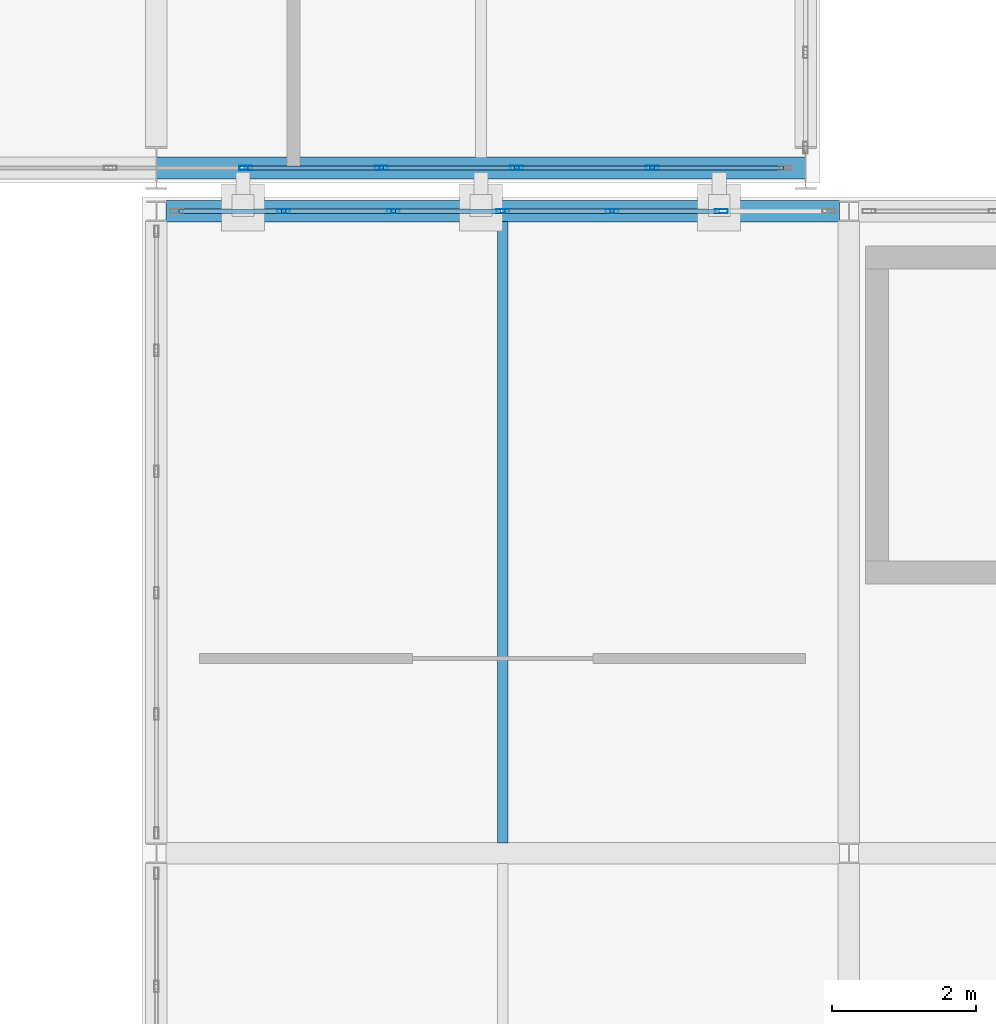
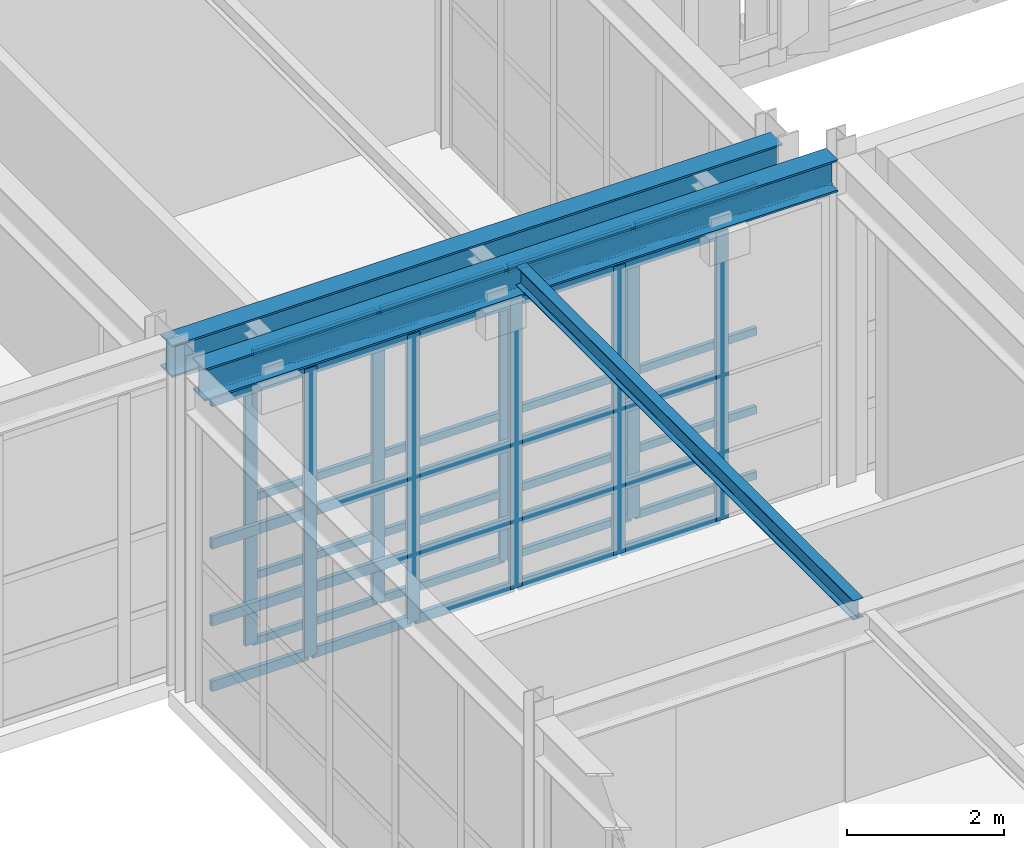
# One storey, part 144 of 239: 45 members, 3 beams, 2 elements without a shape of their own.
"""IFC4 building model written with IfcOpenShell, lengths in metres."""

from ifc_helpers import new_model, si_unit, direction, frame, origin, origin_2d, place, context, subcontext, project, spatial, hollow_rectangle, i_section, extrude, material, material_profile, profile_set, type_object, element, aggregate, save


model = new_model("IFC4")

# Units and contexts
model_context = context("Model", 3, precision=1e-05, world=origin(), true_north=direction((0.0, 1.0)))
body_context = subcontext(model_context, "Body", "Model", "MODEL_VIEW")
ifc_project = project(units=[si_unit("LENGTHUNIT", "METRE"), si_unit("AREAUNIT", "SQUARE_METRE"), si_unit("VOLUMEUNIT", "CUBIC_METRE"), si_unit("PLANEANGLEUNIT", "RADIAN"), si_unit("MASSUNIT", "GRAM", prefix="KILO")], contexts=[model_context])

# Site, building, storey
site_placement = place(None, origin())
site = spatial("IfcSite", under=ifc_project, at=site_placement, CompositionType="ELEMENT")
building_placement = place(site_placement, origin())
building = spatial("IfcBuilding", under=site, at=building_placement, Name="Kaldris Quays Convention Centre", CompositionType="ELEMENT")
storey_placement = place(building_placement, frame((0.0, 0.0, 11.39990234375)))
storey = spatial("IfcBuildingStorey", under=building, at=storey_placement, Name="L02", CompositionType="ELEMENT", Elevation=11.39990234375)

# Curtain wall, members
ifc_material_1 = material(Name="Anodized aluminium AW-6060 and triple glazing", Category="aluminium")
curtain_wall_type_1 = type_object("IfcCurtainWallType", Name="UNITISED CURTAIN WALL CW05", PredefinedType="NOTDEFINED", material=ifc_material_1)
curtain_wall_1_placement = place(storey_placement, origin())
curtain_wall_1 = element("IfcCurtainWall", 1, at=curtain_wall_1_placement, inside=storey, type_object=curtain_wall_type_1, Name="L02 Unitised Curtain Wall CW05 145", PredefinedType="NOTDEFINED")
ifc_material_2 = material(Name="Anodized aluminium AW-6060", Category="aluminium")
ifc_material_profile_1 = material_profile(ifc_material_2, hollow_rectangle(XDim=0.06005859375, YDim=0.179931640625, WallThickness=0.0048828125, at=origin_2d()), Name="RHS 180x60x5")
ifc_profile_set_1 = profile_set([ifc_material_profile_1], Name="Anodized aluminium AW-6060")
member_type_1 = type_object("IfcMemberType", Name="CURTAIN MULLION CWM2", PredefinedType="MULLION", material=ifc_profile_set_1)
member_1_placement = place(storey_placement, frame((156.23876953125, 38.0, 0.0), z_axis=(0.0, 0.0, 1.0), x_axis=(0.0, 1.0, 0.0)))
member_1 = element("IfcMember", 2, at=member_1_placement, type_object=member_type_1, Name="CW05 mullion 6", PredefinedType="MULLION", context=body_context, shape_type="SweptSolid", body=[
    extrude(hollow_rectangle(XDim=0.06005859375, YDim=0.179931640625, WallThickness=0.0048828125, at=origin_2d()), origin(), (0.0, 0.0, 1.0), 4.548095703125),
])
member_2_placement = place(storey_placement, frame((158.11669921875, 38.0, 0.0), z_axis=(0.0, 0.0, 1.0), x_axis=(0.0, 1.0, 0.0)))
member_2 = element("IfcMember", 3, at=member_2_placement, type_object=member_type_1, Name="CW05 mullion 7", PredefinedType="MULLION", context=body_context, shape_type="SweptSolid", body=[
    extrude(hollow_rectangle(XDim=0.06005859375, YDim=0.179931640625, WallThickness=0.0048828125, at=origin_2d()), origin(), (0.0, 0.0, 1.0), 4.548095703125),
])
member_3_placement = place(storey_placement, frame((159.994384765625, 38.0, 0.0), z_axis=(0.0, 0.0, 1.0), x_axis=(0.0, 1.0, 0.0)))
member_3 = element("IfcMember", 4, at=member_3_placement, type_object=member_type_1, Name="CW05 mullion 8", PredefinedType="MULLION", context=body_context, shape_type="SweptSolid", body=[
    extrude(hollow_rectangle(XDim=0.06005859375, YDim=0.179931640625, WallThickness=0.0048828125, at=origin_2d()), origin(), (0.0, 0.0, 1.0), 4.548095703125),
])
member_4_placement = place(storey_placement, frame((161.872314453125, 38.0, 0.0), z_axis=(0.0, 0.0, 1.0), x_axis=(0.0, 1.0, 0.0)))
member_4 = element("IfcMember", 5, at=member_4_placement, type_object=member_type_1, Name="CW05 mullion 9", PredefinedType="MULLION", context=body_context, shape_type="SweptSolid", body=[
    extrude(hollow_rectangle(XDim=0.06005859375, YDim=0.179931640625, WallThickness=0.0048828125, at=origin_2d()), origin(), (0.0, 0.0, 1.0), 4.548095703125),
])

curtain_wall_type_2 = type_object("IfcCurtainWallType", Name="UNITISED CURTAIN WALL CW02", PredefinedType="NOTDEFINED", material=ifc_material_1)
curtain_wall_2_placement = place(storey_placement, origin())
curtain_wall_2 = element("IfcCurtainWall", 6, at=curtain_wall_2_placement, inside=storey, type_object=curtain_wall_type_2, Name="L02 Unitised Curtain Wall CW02 200", PredefinedType="NOTDEFINED")
member_5_placement = place(storey_placement, frame((156.7666015625, 37.39990234375, 0.0), z_axis=(0.0, 0.0, 1.0), x_axis=(0.0, 1.0, 0.0)))
member_5 = element("IfcMember", 7, at=member_5_placement, type_object=member_type_1, Name="CW02 mullion 2", PredefinedType="MULLION", context=body_context, shape_type="SweptSolid", body=[
    extrude(hollow_rectangle(XDim=0.06005859375, YDim=0.179931640625, WallThickness=0.0048828125, at=origin_2d()), origin(), (0.0, 0.0, 1.0), 4.498046875),
])
member_6_placement = place(storey_placement, frame((158.283447265625, 37.39990234375, 0.0), z_axis=(0.0, 0.0, 1.0), x_axis=(0.0, 1.0, 0.0)))
member_6 = element("IfcMember", 8, at=member_6_placement, type_object=member_type_1, Name="CW02 mullion 3", PredefinedType="MULLION", context=body_context, shape_type="SweptSolid", body=[
    extrude(hollow_rectangle(XDim=0.06005859375, YDim=0.179931640625, WallThickness=0.0048828125, at=origin_2d()), origin(), (0.0, 0.0, 1.0), 4.498046875),
])
member_7_placement = place(storey_placement, frame((159.800048828125, 37.39990234375, 0.0), z_axis=(0.0, 0.0, 1.0), x_axis=(0.0, 1.0, 0.0)))
member_7 = element("IfcMember", 9, at=member_7_placement, type_object=member_type_1, Name="CW02 mullion 4", PredefinedType="MULLION", context=body_context, shape_type="SweptSolid", body=[
    extrude(hollow_rectangle(XDim=0.06005859375, YDim=0.179931640625, WallThickness=0.0048828125, at=origin_2d()), origin(), (0.0, 0.0, 1.0), 4.498046875),
])
member_8_placement = place(storey_placement, frame((161.316650390625, 37.39990234375, 0.0), z_axis=(0.0, 0.0, 1.0), x_axis=(0.0, 1.0, 0.0)))
member_8 = element("IfcMember", 10, at=member_8_placement, type_object=member_type_1, Name="CW02 mullion 5", PredefinedType="MULLION", context=body_context, shape_type="SweptSolid", body=[
    extrude(hollow_rectangle(XDim=0.06005859375, YDim=0.179931640625, WallThickness=0.0048828125, at=origin_2d()), origin(), (0.0, 0.0, 1.0), 4.498046875),
])
member_9_placement = place(storey_placement, frame((162.833251953125, 37.39990234375, 0.0), z_axis=(0.0, 0.0, 1.0), x_axis=(0.0, 1.0, 0.0)))
member_9 = element("IfcMember", 11, at=member_9_placement, type_object=member_type_1, Name="CW02 mullion 6", PredefinedType="MULLION", context=body_context, shape_type="SweptSolid", body=[
    extrude(hollow_rectangle(XDim=0.06005859375, YDim=0.179931640625, WallThickness=0.0048828125, at=origin_2d()), origin(), (0.0, 0.0, 1.0), 4.498046875),
])

# Member
ifc_material_profile_2 = material_profile(ifc_material_2, hollow_rectangle(XDim=0.06005859375, YDim=0.1201171875, WallThickness=0.00390625, at=origin_2d()), Name="RHS 120x60x4")
ifc_profile_set_2 = profile_set([ifc_material_profile_2], Name="Anodized aluminium AW-6060")
member_type_2 = type_object("IfcMemberType", Name="CURTAIN TRANSOM CWT1", PredefinedType="USERDEFINED", material=ifc_profile_set_2)
member_10_placement = place(storey_placement, frame((156.268798828125, 38.0, 0.030029296875), z_axis=(1.0, 0.0, 0.0), x_axis=(0.0, 1.0, 0.0)))
member_10 = element("IfcMember", 12, at=member_10_placement, type_object=member_type_2, Name="CW05 transom 6.1", ObjectType="TRANSOM", PredefinedType="USERDEFINED", context=body_context, shape_type="SweptSolid", body=[
    extrude(hollow_rectangle(XDim=0.06005859375, YDim=0.1201171875, WallThickness=0.00390625, at=origin_2d()), origin(), (0.0, 0.0, 1.0), 1.81787109375),
])

member_11_placement = place(storey_placement, frame((156.268798828125, 38.0, 1.050048828125), z_axis=(1.0, 0.0, 0.0), x_axis=(0.0, 1.0, 0.0)))
member_11 = element("IfcMember", 13, at=member_11_placement, type_object=member_type_2, Name="CW05 transom 6.2", ObjectType="TRANSOM", PredefinedType="USERDEFINED", context=body_context, shape_type="SweptSolid", body=[
    extrude(hollow_rectangle(XDim=0.06005859375, YDim=0.1201171875, WallThickness=0.00390625, at=origin_2d()), origin(), (0.0, 0.0, 1.0), 1.81787109375),
])

member_12_placement = place(storey_placement, frame((156.268798828125, 38.0, 2.274169921875), z_axis=(1.0, 0.0, 0.0), x_axis=(0.0, 1.0, 0.0)))
member_12 = element("IfcMember", 14, at=member_12_placement, type_object=member_type_2, Name="CW05 transom 6.3", ObjectType="TRANSOM", PredefinedType="USERDEFINED", context=body_context, shape_type="SweptSolid", body=[
    extrude(hollow_rectangle(XDim=0.06005859375, YDim=0.1201171875, WallThickness=0.00390625, at=origin_2d()), origin(), (0.0, 0.0, 1.0), 1.81787109375),
])

member_13_placement = place(storey_placement, frame((156.268798828125, 38.0, 4.51806640625), z_axis=(1.0, 0.0, 0.0), x_axis=(0.0, 1.0, 0.0)))
member_13 = element("IfcMember", 15, at=member_13_placement, type_object=member_type_2, Name="CW05 transom 6.4", ObjectType="TRANSOM", PredefinedType="USERDEFINED", context=body_context, shape_type="SweptSolid", body=[
    extrude(hollow_rectangle(XDim=0.06005859375, YDim=0.1201171875, WallThickness=0.00390625, at=origin_2d()), origin(), (0.0, 0.0, 1.0), 1.81787109375),
])

member_14_placement = place(storey_placement, frame((158.146728515625, 38.0, 0.030029296875), z_axis=(1.0, 0.0, 0.0), x_axis=(0.0, 1.0, 0.0)))
member_14 = element("IfcMember", 16, at=member_14_placement, type_object=member_type_2, Name="CW05 transom 7.1", ObjectType="TRANSOM", PredefinedType="USERDEFINED", context=body_context, shape_type="SweptSolid", body=[
    extrude(hollow_rectangle(XDim=0.06005859375, YDim=0.1201171875, WallThickness=0.00390625, at=origin_2d()), origin(), (0.0, 0.0, 1.0), 1.817626953125),
])

member_15_placement = place(storey_placement, frame((158.146728515625, 38.0, 1.050048828125), z_axis=(1.0, 0.0, 0.0), x_axis=(0.0, 1.0, 0.0)))
member_15 = element("IfcMember", 17, at=member_15_placement, type_object=member_type_2, Name="CW05 transom 7.2", ObjectType="TRANSOM", PredefinedType="USERDEFINED", context=body_context, shape_type="SweptSolid", body=[
    extrude(hollow_rectangle(XDim=0.06005859375, YDim=0.1201171875, WallThickness=0.00390625, at=origin_2d()), origin(), (0.0, 0.0, 1.0), 1.817626953125),
])

member_16_placement = place(storey_placement, frame((158.146728515625, 38.0, 2.274169921875), z_axis=(1.0, 0.0, 0.0), x_axis=(0.0, 1.0, 0.0)))
member_16 = element("IfcMember", 18, at=member_16_placement, type_object=member_type_2, Name="CW05 transom 7.3", ObjectType="TRANSOM", PredefinedType="USERDEFINED", context=body_context, shape_type="SweptSolid", body=[
    extrude(hollow_rectangle(XDim=0.06005859375, YDim=0.1201171875, WallThickness=0.00390625, at=origin_2d()), origin(), (0.0, 0.0, 1.0), 1.817626953125),
])

member_17_placement = place(storey_placement, frame((158.146728515625, 38.0, 4.51806640625), z_axis=(1.0, 0.0, 0.0), x_axis=(0.0, 1.0, 0.0)))
member_17 = element("IfcMember", 19, at=member_17_placement, type_object=member_type_2, Name="CW05 transom 7.4", ObjectType="TRANSOM", PredefinedType="USERDEFINED", context=body_context, shape_type="SweptSolid", body=[
    extrude(hollow_rectangle(XDim=0.06005859375, YDim=0.1201171875, WallThickness=0.00390625, at=origin_2d()), origin(), (0.0, 0.0, 1.0), 1.817626953125),
])

member_18_placement = place(storey_placement, frame((160.0244140625, 38.0, 0.030029296875), z_axis=(1.0, 0.0, 0.0), x_axis=(0.0, 1.0, 0.0)))
member_18 = element("IfcMember", 20, at=member_18_placement, type_object=member_type_2, Name="CW05 transom 8.1", ObjectType="TRANSOM", PredefinedType="USERDEFINED", context=body_context, shape_type="SweptSolid", body=[
    extrude(hollow_rectangle(XDim=0.06005859375, YDim=0.1201171875, WallThickness=0.00390625, at=origin_2d()), origin(), (0.0, 0.0, 1.0), 1.81787109375),
])

member_19_placement = place(storey_placement, frame((160.0244140625, 38.0, 1.050048828125), z_axis=(1.0, 0.0, 0.0), x_axis=(0.0, 1.0, 0.0)))
member_19 = element("IfcMember", 21, at=member_19_placement, type_object=member_type_2, Name="CW05 transom 8.2", ObjectType="TRANSOM", PredefinedType="USERDEFINED", context=body_context, shape_type="SweptSolid", body=[
    extrude(hollow_rectangle(XDim=0.06005859375, YDim=0.1201171875, WallThickness=0.00390625, at=origin_2d()), origin(), (0.0, 0.0, 1.0), 1.81787109375),
])

member_20_placement = place(storey_placement, frame((160.0244140625, 38.0, 2.274169921875), z_axis=(1.0, 0.0, 0.0), x_axis=(0.0, 1.0, 0.0)))
member_20 = element("IfcMember", 22, at=member_20_placement, type_object=member_type_2, Name="CW05 transom 8.3", ObjectType="TRANSOM", PredefinedType="USERDEFINED", context=body_context, shape_type="SweptSolid", body=[
    extrude(hollow_rectangle(XDim=0.06005859375, YDim=0.1201171875, WallThickness=0.00390625, at=origin_2d()), origin(), (0.0, 0.0, 1.0), 1.81787109375),
])

member_21_placement = place(storey_placement, frame((160.0244140625, 38.0, 4.51806640625), z_axis=(1.0, 0.0, 0.0), x_axis=(0.0, 1.0, 0.0)))
member_21 = element("IfcMember", 23, at=member_21_placement, type_object=member_type_2, Name="CW05 transom 8.4", ObjectType="TRANSOM", PredefinedType="USERDEFINED", context=body_context, shape_type="SweptSolid", body=[
    extrude(hollow_rectangle(XDim=0.06005859375, YDim=0.1201171875, WallThickness=0.00390625, at=origin_2d()), origin(), (0.0, 0.0, 1.0), 1.81787109375),
])

member_22_placement = place(storey_placement, frame((161.90234375, 38.0, 0.030029296875), z_axis=(1.0, 0.0, 0.0), x_axis=(0.0, 1.0, 0.0)))
member_22 = element("IfcMember", 24, at=member_22_placement, type_object=member_type_2, Name="CW05 transom 9.1", ObjectType="TRANSOM", PredefinedType="USERDEFINED", context=body_context, shape_type="SweptSolid", body=[
    extrude(hollow_rectangle(XDim=0.06005859375, YDim=0.1201171875, WallThickness=0.00390625, at=origin_2d()), origin(), (0.0, 0.0, 1.0), 1.78759765625),
])

member_23_placement = place(storey_placement, frame((161.90234375, 38.0, 1.050048828125), z_axis=(1.0, 0.0, 0.0), x_axis=(0.0, 1.0, 0.0)))
member_23 = element("IfcMember", 25, at=member_23_placement, type_object=member_type_2, Name="CW05 transom 9.2", ObjectType="TRANSOM", PredefinedType="USERDEFINED", context=body_context, shape_type="SweptSolid", body=[
    extrude(hollow_rectangle(XDim=0.06005859375, YDim=0.1201171875, WallThickness=0.00390625, at=origin_2d()), origin(), (0.0, 0.0, 1.0), 1.78759765625),
])

member_24_placement = place(storey_placement, frame((161.90234375, 38.0, 2.274169921875), z_axis=(1.0, 0.0, 0.0), x_axis=(0.0, 1.0, 0.0)))
member_24 = element("IfcMember", 26, at=member_24_placement, type_object=member_type_2, Name="CW05 transom 9.3", ObjectType="TRANSOM", PredefinedType="USERDEFINED", context=body_context, shape_type="SweptSolid", body=[
    extrude(hollow_rectangle(XDim=0.06005859375, YDim=0.1201171875, WallThickness=0.00390625, at=origin_2d()), origin(), (0.0, 0.0, 1.0), 1.78759765625),
])

member_25_placement = place(storey_placement, frame((161.90234375, 38.0, 4.51806640625), z_axis=(1.0, 0.0, 0.0), x_axis=(0.0, 1.0, 0.0)))
member_25 = element("IfcMember", 27, at=member_25_placement, type_object=member_type_2, Name="CW05 transom 9.4", ObjectType="TRANSOM", PredefinedType="USERDEFINED", context=body_context, shape_type="SweptSolid", body=[
    extrude(hollow_rectangle(XDim=0.06005859375, YDim=0.1201171875, WallThickness=0.00390625, at=origin_2d()), origin(), (0.0, 0.0, 1.0), 1.78759765625),
])

aggregate(curtain_wall_1, [member_1, member_2, member_3, member_4, member_10, member_11, member_12, member_13, member_14, member_15, member_16, member_17, member_18, member_19, member_20, member_21, member_22, member_23, member_24, member_25])

ifc_material_profile_3 = material_profile(ifc_material_2, hollow_rectangle(XDim=0.06005859375, YDim=0.159912109375, WallThickness=0.00390625, at=origin_2d()), Name="RHS 160x60x4")
ifc_profile_set_3 = profile_set([ifc_material_profile_3], Name="Anodized aluminium AW-6060")
member_type_3 = type_object("IfcMemberType", Name="CURTAIN TRANSOM CWT2", PredefinedType="USERDEFINED", material=ifc_profile_set_3)
member_26_placement = place(storey_placement, frame((155.31005859375, 37.39990234375, 0.030029296875), z_axis=(1.0, 0.0, 0.0), x_axis=(0.0, 1.0, 0.0)))
member_26 = element("IfcMember", 28, at=member_26_placement, type_object=member_type_3, Name="CW02 transom 1.1", ObjectType="TRANSOM", PredefinedType="USERDEFINED", context=body_context, shape_type="SweptSolid", body=[
    extrude(hollow_rectangle(XDim=0.06005859375, YDim=0.159912109375, WallThickness=0.00390625, at=origin_2d()), origin(), (0.0, 0.0, 1.0), 1.426513671875),
])

member_27_placement = place(storey_placement, frame((155.31005859375, 37.39990234375, 1.050048828125), z_axis=(1.0, 0.0, 0.0), x_axis=(0.0, 1.0, 0.0)))
member_27 = element("IfcMember", 29, at=member_27_placement, type_object=member_type_3, Name="CW02 transom 1.2", ObjectType="TRANSOM", PredefinedType="USERDEFINED", context=body_context, shape_type="SweptSolid", body=[
    extrude(hollow_rectangle(XDim=0.06005859375, YDim=0.159912109375, WallThickness=0.00390625, at=origin_2d()), origin(), (0.0, 0.0, 1.0), 1.426513671875),
])

member_28_placement = place(storey_placement, frame((155.31005859375, 37.39990234375, 2.2490234375), z_axis=(1.0, 0.0, 0.0), x_axis=(0.0, 1.0, 0.0)))
member_28 = element("IfcMember", 30, at=member_28_placement, type_object=member_type_3, Name="CW02 transom 1.3", ObjectType="TRANSOM", PredefinedType="USERDEFINED", context=body_context, shape_type="SweptSolid", body=[
    extrude(hollow_rectangle(XDim=0.06005859375, YDim=0.159912109375, WallThickness=0.00390625, at=origin_2d()), origin(), (0.0, 0.0, 1.0), 1.426513671875),
])

member_29_placement = place(storey_placement, frame((155.31005859375, 37.39990234375, 4.468017578125), z_axis=(1.0, 0.0, 0.0), x_axis=(0.0, 1.0, 0.0)))
member_29 = element("IfcMember", 31, at=member_29_placement, type_object=member_type_3, Name="CW02 transom 1.4", ObjectType="TRANSOM", PredefinedType="USERDEFINED", context=body_context, shape_type="SweptSolid", body=[
    extrude(hollow_rectangle(XDim=0.06005859375, YDim=0.159912109375, WallThickness=0.00390625, at=origin_2d()), origin(), (0.0, 0.0, 1.0), 1.426513671875),
])

member_30_placement = place(storey_placement, frame((156.796630859375, 37.39990234375, 0.030029296875), z_axis=(1.0, 0.0, 0.0), x_axis=(0.0, 1.0, 0.0)))
member_30 = element("IfcMember", 32, at=member_30_placement, type_object=member_type_3, Name="CW02 transom 2.1", ObjectType="TRANSOM", PredefinedType="USERDEFINED", context=body_context, shape_type="SweptSolid", body=[
    extrude(hollow_rectangle(XDim=0.06005859375, YDim=0.159912109375, WallThickness=0.00390625, at=origin_2d()), origin(), (0.0, 0.0, 1.0), 1.456787109375),
])

member_31_placement = place(storey_placement, frame((156.796630859375, 37.39990234375, 1.050048828125), z_axis=(1.0, 0.0, 0.0), x_axis=(0.0, 1.0, 0.0)))
member_31 = element("IfcMember", 33, at=member_31_placement, type_object=member_type_3, Name="CW02 transom 2.2", ObjectType="TRANSOM", PredefinedType="USERDEFINED", context=body_context, shape_type="SweptSolid", body=[
    extrude(hollow_rectangle(XDim=0.06005859375, YDim=0.159912109375, WallThickness=0.00390625, at=origin_2d()), origin(), (0.0, 0.0, 1.0), 1.456787109375),
])

member_32_placement = place(storey_placement, frame((156.796630859375, 37.39990234375, 2.2490234375), z_axis=(1.0, 0.0, 0.0), x_axis=(0.0, 1.0, 0.0)))
member_32 = element("IfcMember", 34, at=member_32_placement, type_object=member_type_3, Name="CW02 transom 2.3", ObjectType="TRANSOM", PredefinedType="USERDEFINED", context=body_context, shape_type="SweptSolid", body=[
    extrude(hollow_rectangle(XDim=0.06005859375, YDim=0.159912109375, WallThickness=0.00390625, at=origin_2d()), origin(), (0.0, 0.0, 1.0), 1.456787109375),
])

member_33_placement = place(storey_placement, frame((156.796630859375, 37.39990234375, 4.468017578125), z_axis=(1.0, 0.0, 0.0), x_axis=(0.0, 1.0, 0.0)))
member_33 = element("IfcMember", 35, at=member_33_placement, type_object=member_type_3, Name="CW02 transom 2.4", ObjectType="TRANSOM", PredefinedType="USERDEFINED", context=body_context, shape_type="SweptSolid", body=[
    extrude(hollow_rectangle(XDim=0.06005859375, YDim=0.159912109375, WallThickness=0.00390625, at=origin_2d()), origin(), (0.0, 0.0, 1.0), 1.456787109375),
])

member_34_placement = place(storey_placement, frame((158.313232421875, 37.39990234375, 0.030029296875), z_axis=(1.0, 0.0, 0.0), x_axis=(0.0, 1.0, 0.0)))
member_34 = element("IfcMember", 36, at=member_34_placement, type_object=member_type_3, Name="CW02 transom 3.1", ObjectType="TRANSOM", PredefinedType="USERDEFINED", context=body_context, shape_type="SweptSolid", body=[
    extrude(hollow_rectangle(XDim=0.06005859375, YDim=0.159912109375, WallThickness=0.00390625, at=origin_2d()), origin(), (0.0, 0.0, 1.0), 1.456787109375),
])

member_35_placement = place(storey_placement, frame((158.313232421875, 37.39990234375, 1.050048828125), z_axis=(1.0, 0.0, 0.0), x_axis=(0.0, 1.0, 0.0)))
member_35 = element("IfcMember", 37, at=member_35_placement, type_object=member_type_3, Name="CW02 transom 3.2", ObjectType="TRANSOM", PredefinedType="USERDEFINED", context=body_context, shape_type="SweptSolid", body=[
    extrude(hollow_rectangle(XDim=0.06005859375, YDim=0.159912109375, WallThickness=0.00390625, at=origin_2d()), origin(), (0.0, 0.0, 1.0), 1.456787109375),
])

member_36_placement = place(storey_placement, frame((158.313232421875, 37.39990234375, 2.2490234375), z_axis=(1.0, 0.0, 0.0), x_axis=(0.0, 1.0, 0.0)))
member_36 = element("IfcMember", 38, at=member_36_placement, type_object=member_type_3, Name="CW02 transom 3.3", ObjectType="TRANSOM", PredefinedType="USERDEFINED", context=body_context, shape_type="SweptSolid", body=[
    extrude(hollow_rectangle(XDim=0.06005859375, YDim=0.159912109375, WallThickness=0.00390625, at=origin_2d()), origin(), (0.0, 0.0, 1.0), 1.456787109375),
])

member_37_placement = place(storey_placement, frame((158.313232421875, 37.39990234375, 4.468017578125), z_axis=(1.0, 0.0, 0.0), x_axis=(0.0, 1.0, 0.0)))
member_37 = element("IfcMember", 39, at=member_37_placement, type_object=member_type_3, Name="CW02 transom 3.4", ObjectType="TRANSOM", PredefinedType="USERDEFINED", context=body_context, shape_type="SweptSolid", body=[
    extrude(hollow_rectangle(XDim=0.06005859375, YDim=0.159912109375, WallThickness=0.00390625, at=origin_2d()), origin(), (0.0, 0.0, 1.0), 1.456787109375),
])

member_38_placement = place(storey_placement, frame((159.830078125, 37.39990234375, 0.030029296875), z_axis=(1.0, 0.0, 0.0), x_axis=(0.0, 1.0, 0.0)))
member_38 = element("IfcMember", 40, at=member_38_placement, type_object=member_type_3, Name="CW02 transom 4.1", ObjectType="TRANSOM", PredefinedType="USERDEFINED", context=body_context, shape_type="SweptSolid", body=[
    extrude(hollow_rectangle(XDim=0.06005859375, YDim=0.159912109375, WallThickness=0.00390625, at=origin_2d()), origin(), (0.0, 0.0, 1.0), 1.45654296875),
])

member_39_placement = place(storey_placement, frame((159.830078125, 37.39990234375, 1.050048828125), z_axis=(1.0, 0.0, 0.0), x_axis=(0.0, 1.0, 0.0)))
member_39 = element("IfcMember", 41, at=member_39_placement, type_object=member_type_3, Name="CW02 transom 4.2", ObjectType="TRANSOM", PredefinedType="USERDEFINED", context=body_context, shape_type="SweptSolid", body=[
    extrude(hollow_rectangle(XDim=0.06005859375, YDim=0.159912109375, WallThickness=0.00390625, at=origin_2d()), origin(), (0.0, 0.0, 1.0), 1.45654296875),
])

member_40_placement = place(storey_placement, frame((159.830078125, 37.39990234375, 2.2490234375), z_axis=(1.0, 0.0, 0.0), x_axis=(0.0, 1.0, 0.0)))
member_40 = element("IfcMember", 42, at=member_40_placement, type_object=member_type_3, Name="CW02 transom 4.3", ObjectType="TRANSOM", PredefinedType="USERDEFINED", context=body_context, shape_type="SweptSolid", body=[
    extrude(hollow_rectangle(XDim=0.06005859375, YDim=0.159912109375, WallThickness=0.00390625, at=origin_2d()), origin(), (0.0, 0.0, 1.0), 1.45654296875),
])

member_41_placement = place(storey_placement, frame((159.830078125, 37.39990234375, 4.468017578125), z_axis=(1.0, 0.0, 0.0), x_axis=(0.0, 1.0, 0.0)))
member_41 = element("IfcMember", 43, at=member_41_placement, type_object=member_type_3, Name="CW02 transom 4.4", ObjectType="TRANSOM", PredefinedType="USERDEFINED", context=body_context, shape_type="SweptSolid", body=[
    extrude(hollow_rectangle(XDim=0.06005859375, YDim=0.159912109375, WallThickness=0.00390625, at=origin_2d()), origin(), (0.0, 0.0, 1.0), 1.45654296875),
])

member_42_placement = place(storey_placement, frame((161.3466796875, 37.39990234375, 0.030029296875), z_axis=(1.0, 0.0, 0.0), x_axis=(0.0, 1.0, 0.0)))
member_42 = element("IfcMember", 44, at=member_42_placement, type_object=member_type_3, Name="CW02 transom 5.1", ObjectType="TRANSOM", PredefinedType="USERDEFINED", context=body_context, shape_type="SweptSolid", body=[
    extrude(hollow_rectangle(XDim=0.06005859375, YDim=0.159912109375, WallThickness=0.00390625, at=origin_2d()), origin(), (0.0, 0.0, 1.0), 1.45654296875),
])

member_43_placement = place(storey_placement, frame((161.3466796875, 37.39990234375, 1.050048828125), z_axis=(1.0, 0.0, 0.0), x_axis=(0.0, 1.0, 0.0)))
member_43 = element("IfcMember", 45, at=member_43_placement, type_object=member_type_3, Name="CW02 transom 5.2", ObjectType="TRANSOM", PredefinedType="USERDEFINED", context=body_context, shape_type="SweptSolid", body=[
    extrude(hollow_rectangle(XDim=0.06005859375, YDim=0.159912109375, WallThickness=0.00390625, at=origin_2d()), origin(), (0.0, 0.0, 1.0), 1.45654296875),
])

member_44_placement = place(storey_placement, frame((161.3466796875, 37.39990234375, 2.2490234375), z_axis=(1.0, 0.0, 0.0), x_axis=(0.0, 1.0, 0.0)))
member_44 = element("IfcMember", 46, at=member_44_placement, type_object=member_type_3, Name="CW02 transom 5.3", ObjectType="TRANSOM", PredefinedType="USERDEFINED", context=body_context, shape_type="SweptSolid", body=[
    extrude(hollow_rectangle(XDim=0.06005859375, YDim=0.159912109375, WallThickness=0.00390625, at=origin_2d()), origin(), (0.0, 0.0, 1.0), 1.45654296875),
])

member_45_placement = place(storey_placement, frame((161.3466796875, 37.39990234375, 4.468017578125), z_axis=(1.0, 0.0, 0.0), x_axis=(0.0, 1.0, 0.0)))
member_45 = element("IfcMember", 47, at=member_45_placement, type_object=member_type_3, Name="CW02 transom 5.4", ObjectType="TRANSOM", PredefinedType="USERDEFINED", context=body_context, shape_type="SweptSolid", body=[
    extrude(hollow_rectangle(XDim=0.06005859375, YDim=0.159912109375, WallThickness=0.00390625, at=origin_2d()), origin(), (0.0, 0.0, 1.0), 1.45654296875),
])

aggregate(curtain_wall_2, [member_5, member_6, member_7, member_8, member_9, member_26, member_27, member_28, member_29, member_30, member_31, member_32, member_33, member_34, member_35, member_36, member_37, member_38, member_39, member_40, member_41, member_42, member_43, member_44, member_45])

# Beams
ifc_material_3 = material(Name="Steel S355J2", Category="steel")
ifc_material_profile_4 = material_profile(ifc_material_3, i_section(OverallWidth=0.300048828125, OverallDepth=0.5, WebThickness=0.014404296875, FlangeThickness=0.028076171875, FilletRadius=0.027099609375, at=origin_2d()), Name="HEB 500")
ifc_profile_set_4 = profile_set([ifc_material_profile_4], Name="Steel S355J2")
beam_type_1 = type_object("IfcBeamType", Name="STRUCTURAL BEAM BM06", PredefinedType="BEAM", material=ifc_profile_set_4)
beam_1_placement = place(storey_placement, frame((155.001708984375, 38.0, 4.9130859375), z_axis=(1.0, 0.0, 0.0), x_axis=(0.0, 1.0, 0.0)))
element("IfcBeam", 48, at=beam_1_placement, inside=storey, type_object=beam_type_1, Name="L02 Girder BM06 9", PredefinedType="BEAM", context=body_context, shape_type="SweptSolid", body=[
    extrude(i_section(OverallWidth=0.300048828125, OverallDepth=0.5, WebThickness=0.014404296875, FlangeThickness=0.028076171875, FilletRadius=0.027099609375, at=origin_2d()), origin(), (0.0, 0.0, 1.0), 8.99658203125),
])
beam_2_placement = place(storey_placement, frame((155.134033203125, 37.39990234375, 4.863037109375), z_axis=(1.0, 0.0, 0.0), x_axis=(0.0, 1.0, 0.0)))
element("IfcBeam", 49, at=beam_2_placement, inside=storey, type_object=beam_type_1, Name="L02 Girder BM06 11", PredefinedType="BEAM", context=body_context, shape_type="SweptSolid", body=[
    extrude(i_section(OverallWidth=0.300048828125, OverallDepth=0.5, WebThickness=0.014404296875, FlangeThickness=0.028076171875, FilletRadius=0.027099609375, at=origin_2d()), origin(), (0.0, 0.0, 1.0), 9.33203125),
])
ifc_material_profile_5 = material_profile(ifc_material_3, i_section(OverallWidth=0.14990234375, OverallDepth=0.300048828125, WebThickness=0.007080078125, FlangeThickness=0.0107421875, FilletRadius=0.014892578125, at=origin_2d()), Name="IPE 300")
ifc_profile_set_5 = profile_set([ifc_material_profile_5], Name="Steel S355J2")
beam_type_2 = type_object("IfcBeamType", Name="STRUCTURAL BEAM JT04", PredefinedType="JOIST", material=ifc_profile_set_5)
beam_3_placement = place(storey_placement, frame((159.800048828125, 28.64404296875, 4.963134765625), z_axis=(0.0, 1.0, 0.0), x_axis=(-1.0, 0.0, 0.0)))
element("IfcBeam", 50, at=beam_3_placement, inside=storey, type_object=beam_type_2, Name="L02 Secondary Joist JT04 5", PredefinedType="JOIST", context=body_context, shape_type="SweptSolid", body=[
    extrude(i_section(OverallWidth=0.14990234375, OverallDepth=0.300048828125, WebThickness=0.007080078125, FlangeThickness=0.0107421875, FilletRadius=0.014892578125, at=origin_2d()), origin(), (0.0, 0.0, 1.0), 8.612060546875),
])

save(model, "model.ifc")
